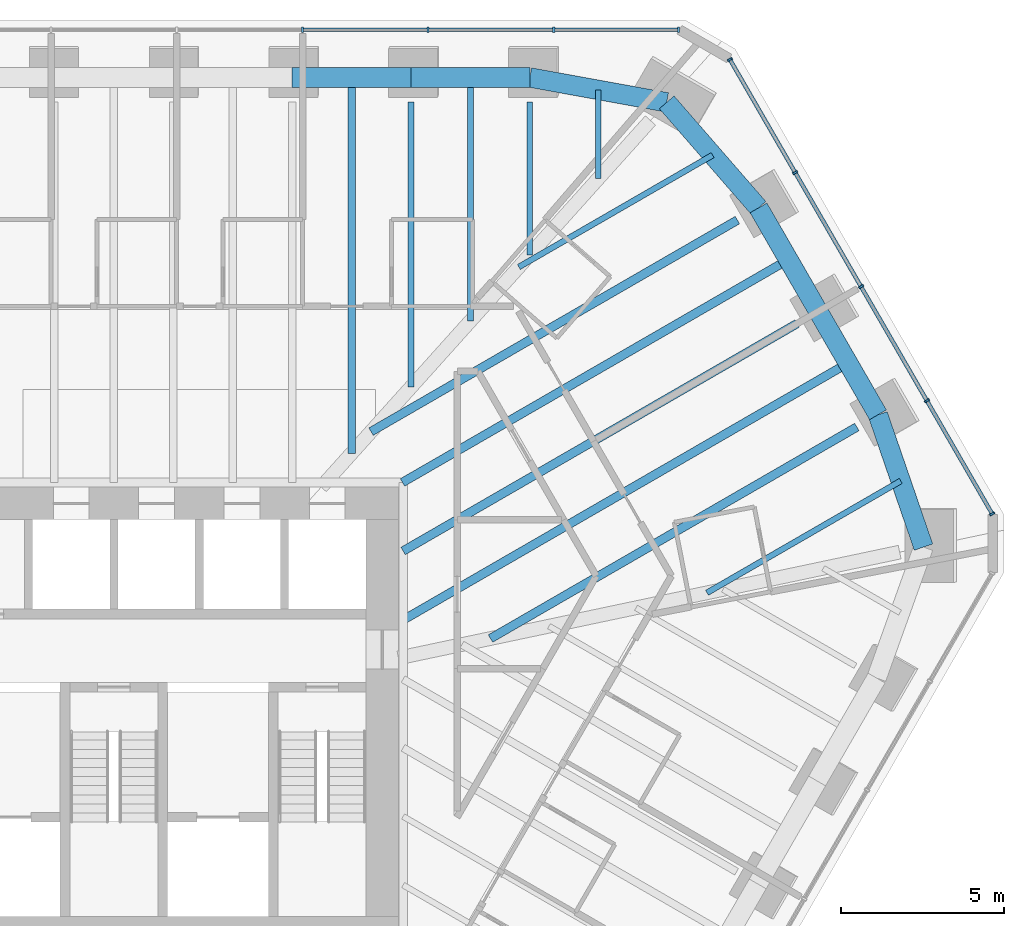
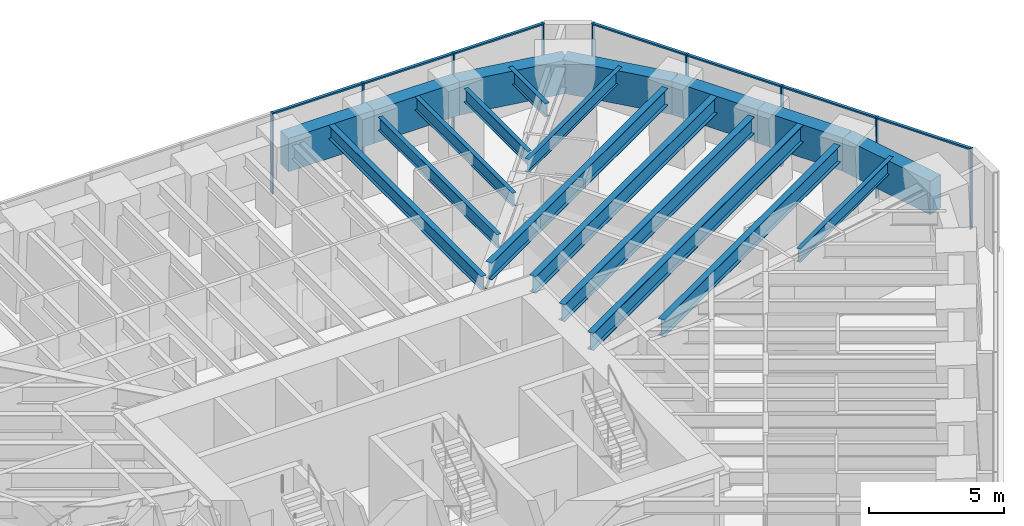
# One storey, part 9 of 17: 19 beams, 16 members, 2 elements without a shape of their own.
"""IFC4 building model written with IfcOpenShell, lengths in metres."""

from ifc_helpers import new_model, si_unit, direction, frame, origin, origin_2d, place, context, subcontext, project, spatial, rectangle, i_section, extrude, material, material_profile, profile_set, type_object, element, aggregate, save


model = new_model("IFC4")

# Units and contexts
model_context = context("Model", 3, precision=1e-05, world=origin(), true_north=direction((0.0, 1.0)))
body_context = subcontext(model_context, "Body", "Model", "MODEL_VIEW")
ifc_project = project(units=[si_unit("LENGTHUNIT", "METRE"), si_unit("AREAUNIT", "SQUARE_METRE"), si_unit("VOLUMEUNIT", "CUBIC_METRE"), si_unit("PLANEANGLEUNIT", "RADIAN"), si_unit("MASSUNIT", "GRAM", prefix="KILO")], contexts=[model_context])

# Site, building, storey
site_placement = place(None, origin())
site = spatial("IfcSite", under=ifc_project, at=site_placement, CompositionType="ELEMENT")
building_placement = place(site_placement, origin())
building = spatial("IfcBuilding", under=site, at=building_placement, Name="Sandreach Pilgrim Tower", CompositionType="ELEMENT")
storey_placement = place(building_placement, frame((0.0, 0.0, 232.60009765625)))
storey = spatial("IfcBuildingStorey", under=building, at=storey_placement, Name="L58", CompositionType="ELEMENT", Elevation=232.60009765625)

# Curtain wall, members
ifc_material_1 = material(Name="Aluminium framed curtain wall", Category="aluminium")
curtain_wall_type = type_object("IfcCurtainWallType", Name="Upper hotel tower curtain wall", PredefinedType="NOTDEFINED", material=ifc_material_1)
curtain_wall_1_placement = place(storey_placement, origin())
curtain_wall_1 = element("IfcCurtainWall", 1, at=curtain_wall_1_placement, inside=storey, type_object=curtain_wall_type, Name="CW-3 L58 N", PredefinedType="NOTDEFINED")
ifc_material_2 = material(Name="Aluminium extrusion", Category="aluminium")
ifc_material_profile_1 = material_profile(ifc_material_2, rectangle(XDim=0.06494140625, YDim=0.159912109375, at=origin_2d()), Name="CW-3M 65X160")
ifc_profile_set_1 = profile_set([ifc_material_profile_1], Name="Aluminium extrusion")
member_type_1 = type_object("IfcMemberType", Name="CW-3 mullion", PredefinedType="MULLION", material=ifc_profile_set_1)
member_1_placement = place(storey_placement, frame((5.796630859375, 21.16015625, 0.0), z_axis=(0.0, 0.0, 1.0), x_axis=(1.0, 0.0, 0.0)))
member_1 = element("IfcMember", 2, at=member_1_placement, type_object=member_type_1, Name="CW-3 mullion 7", PredefinedType="MULLION", context=body_context, shape_type="SweptSolid", body=[
    extrude(rectangle(XDim=0.06494140625, YDim=0.159912109375, at=origin_2d()), origin(), (0.0, 0.0, 1.0), 3.639892578125),
])
member_2_placement = place(storey_placement, frame((9.6611328125, 21.16015625, 0.0), z_axis=(0.0, 0.0, 1.0), x_axis=(1.0, 0.0, 0.0)))
member_2 = element("IfcMember", 3, at=member_2_placement, type_object=member_type_1, Name="CW-3 mullion 8", PredefinedType="MULLION", context=body_context, shape_type="SweptSolid", body=[
    extrude(rectangle(XDim=0.06494140625, YDim=0.159912109375, at=origin_2d()), origin(), (0.0, 0.0, 1.0), 3.639892578125),
])
member_3_placement = place(storey_placement, frame((13.525390625, 21.16015625, 0.0), z_axis=(0.0, 0.0, 1.0), x_axis=(1.0, 0.0, 0.0)))
member_3 = element("IfcMember", 4, at=member_3_placement, type_object=member_type_1, Name="CW-3 mullion 9", PredefinedType="MULLION", context=body_context, shape_type="SweptSolid", body=[
    extrude(rectangle(XDim=0.06494140625, YDim=0.159912109375, at=origin_2d()), origin(), (0.0, 0.0, 1.0), 3.639892578125),
])
member_4_placement = place(storey_placement, frame((17.357421875, 21.16015625, 0.0), z_axis=(0.0, 0.0, 1.0), x_axis=(1.0, 0.0, 0.0)))
member_4 = element("IfcMember", 5, at=member_4_placement, type_object=member_type_1, Name="CW-3 mullion 10", PredefinedType="MULLION", context=body_context, shape_type="SweptSolid", body=[
    extrude(rectangle(XDim=0.06494140625, YDim=0.159912109375, at=origin_2d()), origin(), (0.0, 0.0, 1.0), 3.639892578125),
])

curtain_wall_2_placement = place(storey_placement, origin())
curtain_wall_2 = element("IfcCurtainWall", 6, at=curtain_wall_2_placement, inside=storey, type_object=curtain_wall_type, Name="CW-3 L58 NE", PredefinedType="NOTDEFINED")
member_5_placement = place(storey_placement, frame((18.93896484375, 20.2470703125, 0.0), z_axis=(0.0, 0.0, 1.0), x_axis=(0.5, -0.866025403784, 0.0)))
member_5 = element("IfcMember", 7, at=member_5_placement, type_object=member_type_1, Name="CW-3 mullion 1", PredefinedType="MULLION", context=body_context, shape_type="SweptSolid", body=[
    extrude(rectangle(XDim=0.06494140625, YDim=0.159912109375, at=origin_2d()), origin(), (0.0, 0.0, 1.0), 3.639892578125),
])
member_6_placement = place(storey_placement, frame((20.947021484375, 16.768798828125, 0.0), z_axis=(0.0, 0.0, 1.0), x_axis=(0.5, -0.866025403784, 0.0)))
member_6 = element("IfcMember", 8, at=member_6_placement, type_object=member_type_1, Name="CW-3 mullion 2", PredefinedType="MULLION", context=body_context, shape_type="SweptSolid", body=[
    extrude(rectangle(XDim=0.06494140625, YDim=0.159912109375, at=origin_2d()), origin(), (0.0, 0.0, 1.0), 3.639892578125),
])
member_7_placement = place(storey_placement, frame((22.971435546875, 13.262451171875, 0.0), z_axis=(0.0, 0.0, 1.0), x_axis=(0.5, -0.866025403784, 0.0)))
member_7 = element("IfcMember", 9, at=member_7_placement, type_object=member_type_1, Name="CW-3 mullion 3", PredefinedType="MULLION", context=body_context, shape_type="SweptSolid", body=[
    extrude(rectangle(XDim=0.06494140625, YDim=0.159912109375, at=origin_2d()), origin(), (0.0, 0.0, 1.0), 3.639892578125),
])
member_8_placement = place(storey_placement, frame((24.995849609375, 9.75634765625, 0.0), z_axis=(0.0, 0.0, 1.0), x_axis=(0.5, -0.866025403784, 0.0)))
member_8 = element("IfcMember", 10, at=member_8_placement, type_object=member_type_1, Name="CW-3 mullion 4", PredefinedType="MULLION", context=body_context, shape_type="SweptSolid", body=[
    extrude(rectangle(XDim=0.06494140625, YDim=0.159912109375, at=origin_2d()), origin(), (0.0, 0.0, 1.0), 3.639892578125),
])
member_9_placement = place(storey_placement, frame((27.00390625, 6.278076171875, 0.0), z_axis=(0.0, 0.0, 1.0), x_axis=(0.5, -0.866025403784, 0.0)))
member_9 = element("IfcMember", 11, at=member_9_placement, type_object=member_type_1, Name="CW-3 mullion 5", PredefinedType="MULLION", context=body_context, shape_type="SweptSolid", body=[
    extrude(rectangle(XDim=0.06494140625, YDim=0.159912109375, at=origin_2d()), origin(), (0.0, 0.0, 1.0), 3.639892578125),
])

# Member
ifc_material_3 = material(Name="Aluminium extrusion", Category="aluminium")
ifc_material_profile_2 = material_profile(ifc_material_3, rectangle(XDim=0.1201171875, YDim=0.070068359375, at=origin_2d()), Name="CW-3T 120X70")
ifc_profile_set_2 = profile_set([ifc_material_profile_2], Name="Aluminium extrusion")
member_type_2 = type_object("IfcMemberType", Name="CW-3 transom", PredefinedType="USERDEFINED", material=ifc_profile_set_2)
member_10_placement = place(storey_placement, frame((5.8291015625, 21.16015625, 3.60498046875), z_axis=(1.0, 0.0, 0.0), x_axis=(0.0, 1.0, 0.0)))
member_10 = element("IfcMember", 12, at=member_10_placement, type_object=member_type_2, Name="CW-3 head transom 7", ObjectType="TRANSOM", PredefinedType="USERDEFINED", context=body_context, shape_type="SweptSolid", body=[
    extrude(rectangle(XDim=0.1201171875, YDim=0.070068359375, at=origin_2d()), origin(), (0.0, 0.0, 1.0), 3.799560546875),
])

member_11_placement = place(storey_placement, frame((9.693603515625, 21.16015625, 3.60498046875), z_axis=(1.0, 0.0, 0.0), x_axis=(0.0, 1.0, 0.0)))
member_11 = element("IfcMember", 13, at=member_11_placement, type_object=member_type_2, Name="CW-3 head transom 8", ObjectType="TRANSOM", PredefinedType="USERDEFINED", context=body_context, shape_type="SweptSolid", body=[
    extrude(rectangle(XDim=0.1201171875, YDim=0.070068359375, at=origin_2d()), origin(), (0.0, 0.0, 1.0), 3.79931640625),
])

member_12_placement = place(storey_placement, frame((13.557861328125, 21.16015625, 3.60498046875), z_axis=(1.0, 0.0, 0.0), x_axis=(0.0, 1.0, 0.0)))
member_12 = element("IfcMember", 14, at=member_12_placement, type_object=member_type_2, Name="CW-3 head transom 9", ObjectType="TRANSOM", PredefinedType="USERDEFINED", context=body_context, shape_type="SweptSolid", body=[
    extrude(rectangle(XDim=0.1201171875, YDim=0.070068359375, at=origin_2d()), origin(), (0.0, 0.0, 1.0), 3.76708984375),
])

aggregate(curtain_wall_1, [member_1, member_2, member_3, member_4, member_10, member_11, member_12])

member_13_placement = place(storey_placement, frame((18.955322265625, 20.21875, 3.60498046875), z_axis=(0.499993448556, -0.866029186229, 0.0), x_axis=(0.866029186229, 0.499993448556, 0.0)))
member_13 = element("IfcMember", 15, at=member_13_placement, type_object=member_type_2, Name="CW-3 head transom 1", ObjectType="TRANSOM", PredefinedType="USERDEFINED", context=body_context, shape_type="SweptSolid", body=[
    extrude(rectangle(XDim=0.1201171875, YDim=0.070068359375, at=origin_2d()), origin(), (0.0, 0.0, 1.0), 3.951171875),
])

member_14_placement = place(storey_placement, frame((20.96337890625, 16.74072265625, 3.60498046875), z_axis=(0.499975332564, -0.866039645067, 0.0), x_axis=(0.866039645067, 0.499975332564, 0.0)))
member_14 = element("IfcMember", 16, at=member_14_placement, type_object=member_type_2, Name="CW-3 head transom 2", ObjectType="TRANSOM", PredefinedType="USERDEFINED", context=body_context, shape_type="SweptSolid", body=[
    extrude(rectangle(XDim=0.1201171875, YDim=0.070068359375, at=origin_2d()), origin(), (0.0, 0.0, 1.0), 3.983642578125),
])

member_15_placement = place(storey_placement, frame((22.98779296875, 13.234375, 3.60498046875), z_axis=(0.499975332564, -0.866039645067, 0.0), x_axis=(0.866039645067, 0.499975332564, 0.0)))
member_15 = element("IfcMember", 17, at=member_15_placement, type_object=member_type_2, Name="CW-3 head transom 3", ObjectType="TRANSOM", PredefinedType="USERDEFINED", context=body_context, shape_type="SweptSolid", body=[
    extrude(rectangle(XDim=0.1201171875, YDim=0.070068359375, at=origin_2d()), origin(), (0.0, 0.0, 1.0), 3.983642578125),
])

member_16_placement = place(storey_placement, frame((25.011962890625, 9.728271484375, 3.60498046875), z_axis=(0.499993448556, -0.866029186229, 0.0), x_axis=(0.866029186229, 0.499993448556, 0.0)))
member_16 = element("IfcMember", 18, at=member_16_placement, type_object=member_type_2, Name="CW-3 head transom 4", ObjectType="TRANSOM", PredefinedType="USERDEFINED", context=body_context, shape_type="SweptSolid", body=[
    extrude(rectangle(XDim=0.1201171875, YDim=0.070068359375, at=origin_2d()), origin(), (0.0, 0.0, 1.0), 3.951171875),
])

aggregate(curtain_wall_2, [member_5, member_6, member_7, member_8, member_9, member_13, member_14, member_15, member_16])

# Beams
ifc_material_4 = material(Name="Steel ASTM A992 Grade 50", Category="steel")
ifc_material_profile_3 = material_profile(ifc_material_4, i_section(OverallWidth=0.1787109375, OverallDepth=0.60205078125, WebThickness=0.010986328125, FlangeThickness=0.014892578125, at=origin_2d()), Name="W24X62")
ifc_profile_set_3 = profile_set([ifc_material_profile_3], Name="Steel ASTM A992 Grade 50")
beam_type_1 = type_object("IfcBeamType", Name="Floor beam W24X62", PredefinedType="BEAM", material=ifc_profile_set_3)
beam_1_placement = place(storey_placement, frame((9.134765625, 18.9423828125, 3.3388671875), z_axis=(0.0, -1.0, 0.0), x_axis=(1.0, 0.0, 0.0)))
element("IfcBeam", 19, at=beam_1_placement, inside=storey, type_object=beam_type_1, Name="BM L58 F07", PredefinedType="BEAM", context=body_context, shape_type="SweptSolid", body=[
    extrude(i_section(OverallWidth=0.1787109375, OverallDepth=0.60205078125, WebThickness=0.010986328125, FlangeThickness=0.014892578125, at=origin_2d()), origin(), (0.0, 0.0, 1.0), 8.769287109375),
])
beam_2_placement = place(storey_placement, frame((12.788818359375, 18.9423828125, 3.3388671875), z_axis=(0.0, -1.0, 0.0), x_axis=(1.0, 0.0, 0.0)))
element("IfcBeam", 20, at=beam_2_placement, inside=storey, type_object=beam_type_1, Name="BM L58 F08", PredefinedType="BEAM", context=body_context, shape_type="SweptSolid", body=[
    extrude(i_section(OverallWidth=0.1787109375, OverallDepth=0.60205078125, WebThickness=0.010986328125, FlangeThickness=0.014892578125, at=origin_2d()), origin(), (0.0, 0.0, 1.0), 4.699951171875),
])
beam_3_placement = place(storey_placement, frame((10.9619140625, 19.6923828125, 3.3388671875), z_axis=(0.0, -1.0, 0.0), x_axis=(1.0, 0.0, 0.0)))
element("IfcBeam", 21, at=beam_3_placement, inside=storey, type_object=beam_type_1, Name="BM L58 FM07", PredefinedType="BEAM", context=body_context, shape_type="SweptSolid", body=[
    extrude(i_section(OverallWidth=0.1787109375, OverallDepth=0.60205078125, WebThickness=0.010986328125, FlangeThickness=0.014892578125, at=origin_2d()), origin(), (0.0, 0.0, 1.0), 7.484619140625),
])
beam_4_placement = place(storey_placement, frame((14.89306640625, 19.310791015625, 3.3388671875), z_axis=(0.0, -1.0, 0.0), x_axis=(1.0, 0.0, 0.0)))
element("IfcBeam", 22, at=beam_4_placement, inside=storey, type_object=beam_type_1, Name="BM L58 FM08", PredefinedType="BEAM", context=body_context, shape_type="SweptSolid", body=[
    extrude(i_section(OverallWidth=0.1787109375, OverallDepth=0.60205078125, WebThickness=0.010986328125, FlangeThickness=0.014892578125, at=origin_2d()), origin(), (0.0, 0.0, 1.0), 2.72509765625),
])
for number, where, z_axis, x_axis, name in (
    (23, (18.408203125, 17.30615234375, 3.3388671875), (-0.866019478611, -0.500010262561, 0.0), (0.500010262561, -0.866019478611, 0.0), "BM L58 FM09"),
    (24, (24.191650390625, 7.2890625, 3.3388671875), (-0.866019478611, -0.500010262561, 0.0), (0.500010262561, -0.866019478611, 0.0), "BM L58 FM12"),
):
    element("IfcBeam", number, at=place(storey_placement, frame(where, z_axis=z_axis, x_axis=x_axis)), inside=storey, type_object=beam_type_1, Name=name, PredefinedType="BEAM", context=body_context, shape_type="SweptSolid", body=[
        extrude(i_section(OverallWidth=0.1787109375, OverallDepth=0.60205078125, WebThickness=0.010986328125, FlangeThickness=0.014892578125, at=origin_2d()), origin(), (0.0, 0.0, 1.0), 6.877685546875),
    ])
ifc_material_5 = material(Name="Steel ASTM A992 Grade 50", Category="steel")
ifc_material_profile_4 = material_profile(ifc_material_5, i_section(OverallWidth=0.23046875, OverallDepth=0.6171875, WebThickness=0.01318359375, FlangeThickness=0.022216796875, at=origin_2d()), Name="W24X94")
ifc_profile_set_4 = profile_set([ifc_material_profile_4], Name="Steel ASTM A992 Grade 50")
beam_type_2 = type_object("IfcBeamType", Name="Floor beam W24X94", PredefinedType="BEAM", material=ifc_profile_set_4)
beam_5_placement = place(storey_placement, frame((7.307861328125, 19.6923828125, 3.331298828125), z_axis=(0.0, -1.0, 0.0), x_axis=(1.0, 0.0, 0.0)))
element("IfcBeam", 25, at=beam_5_placement, inside=storey, type_object=beam_type_2, Name="BM L58 FM06", PredefinedType="BEAM", context=body_context, shape_type="SweptSolid", body=[
    extrude(i_section(OverallWidth=0.23046875, OverallDepth=0.6171875, WebThickness=0.01318359375, FlangeThickness=0.022216796875, at=origin_2d()), origin(), (0.0, 0.0, 1.0), 11.553955078125),
])
ifc_material_6 = material(Name="Steel ASTM A992 Grade 50", Category="steel")
ifc_material_profile_5 = material_profile(ifc_material_6, i_section(OverallWidth=0.2666015625, OverallDepth=0.761962890625, WebThickness=0.014404296875, FlangeThickness=0.021484375, at=origin_2d()), Name="W30X116")
ifc_profile_set_5 = profile_set([ifc_material_profile_5], Name="Steel ASTM A992 Grade 50")
beam_type_3 = type_object("IfcBeamType", Name="Floor beam W30X116", PredefinedType="BEAM", material=ifc_profile_set_5)
beam_6_placement = place(storey_placement, frame((19.169677734375, 15.30810546875, 3.2587890625), z_axis=(-0.866021155162, -0.500007358757, 0.0), x_axis=(0.500007358757, -0.866021155162, 0.0)))
element("IfcBeam", 26, at=beam_6_placement, inside=storey, type_object=beam_type_3, Name="BM L58 F10", PredefinedType="BEAM", context=body_context, shape_type="SweptSolid", body=[
    extrude(i_section(OverallWidth=0.2666015625, OverallDepth=0.761962890625, WebThickness=0.014404296875, FlangeThickness=0.021484375, at=origin_2d()), origin(), (0.0, 0.0, 1.0), 13.005615234375),
])
beam_7_placement = place(storey_placement, frame((21.005859375, 12.127685546875, 3.2587890625), z_axis=(-0.86602600019, -0.499998966993, 0.0), x_axis=(0.499998966993, -0.86602600019, 0.0)))
element("IfcBeam", 27, at=beam_7_placement, inside=storey, type_object=beam_type_3, Name="BM L58 F11", PredefinedType="BEAM", context=body_context, shape_type="SweptSolid", body=[
    extrude(i_section(OverallWidth=0.2666015625, OverallDepth=0.761962890625, WebThickness=0.014404296875, FlangeThickness=0.021484375, at=origin_2d()), origin(), (0.0, 0.0, 1.0), 13.986328125),
])
beam_8_placement = place(storey_placement, frame((22.842041015625, 8.947509765625, 3.2587890625), z_axis=(-0.866021155162, -0.500007358757, 0.0), x_axis=(0.500007358757, -0.866021155162, 0.0)))
element("IfcBeam", 28, at=beam_8_placement, inside=storey, type_object=beam_type_3, Name="BM L58 F12", PredefinedType="BEAM", context=body_context, shape_type="SweptSolid", body=[
    extrude(i_section(OverallWidth=0.2666015625, OverallDepth=0.761962890625, WebThickness=0.014404296875, FlangeThickness=0.021484375, at=origin_2d()), origin(), (0.0, 0.0, 1.0), 13.005615234375),
])
beam_9_placement = place(storey_placement, frame((20.7373046875, 14.0927734375, 3.2587890625), z_axis=(-0.866031260823, -0.499989855175, 0.0), x_axis=(0.499989855175, -0.866031260823, 0.0)))
element("IfcBeam", 29, at=beam_9_placement, inside=storey, type_object=beam_type_3, Name="BM L58 FM10", PredefinedType="BEAM", context=body_context, shape_type="SweptSolid", body=[
    extrude(i_section(OverallWidth=0.2666015625, OverallDepth=0.761962890625, WebThickness=0.014404296875, FlangeThickness=0.021484375, at=origin_2d()), origin(), (0.0, 0.0, 1.0), 13.698974609375),
])
ifc_material_7 = material(Name="Steel ASTM A992 Grade 50", Category="steel")
ifc_material_profile_6 = material_profile(ifc_material_7, i_section(OverallWidth=0.2666015625, OverallDepth=0.77978515625, WebThickness=0.0166015625, FlangeThickness=0.030029296875, at=origin_2d()), Name="W30X148")
ifc_profile_set_6 = profile_set([ifc_material_profile_6], Name="Steel ASTM A992 Grade 50")
beam_type_4 = type_object("IfcBeamType", Name="Floor beam W30X148", PredefinedType="BEAM", material=ifc_profile_set_6)
beam_10_placement = place(storey_placement, frame((22.573486328125, 10.91259765625, 3.25), z_axis=(-0.866027043304, -0.499997160258, 0.0), x_axis=(0.499997160258, -0.866027043304, 0.0)))
element("IfcBeam", 30, at=beam_10_placement, inside=storey, type_object=beam_type_4, Name="BM L58 FM11", PredefinedType="BEAM", context=body_context, shape_type="SweptSolid", body=[
    extrude(i_section(OverallWidth=0.2666015625, OverallDepth=0.77978515625, WebThickness=0.0166015625, FlangeThickness=0.030029296875, at=origin_2d()), origin(), (0.0, 0.0, 1.0), 15.79638671875),
])
ifc_material_8 = material(Name="Concrete 10000 psi", Category="concrete")
ifc_material_profile_7 = material_profile(ifc_material_8, rectangle(XDim=0.60009765625, YDim=1.5, at=origin_2d()), Name="RC600X1500")
ifc_profile_set_7 = profile_set([ifc_material_profile_7], Name="Concrete 10000 psi")
beam_type_5 = type_object("IfcBeamType", Name="Spandrel beam RC600X1500", PredefinedType="SPANDREL", material=ifc_profile_set_7)
beam_11_placement = place(storey_placement, frame((5.48095703125, 19.6923828125, 2.889892578125), z_axis=(1.0, 0.0, 0.0), x_axis=(0.0, 1.0, 0.0)))
element("IfcBeam", 31, at=beam_11_placement, inside=storey, type_object=beam_type_5, Name="BM L58 SP06", PredefinedType="SPANDREL", context=body_context, shape_type="SweptSolid", body=[
    extrude(rectangle(XDim=0.60009765625, YDim=1.5, at=origin_2d()), origin(), (0.0, 0.0, 1.0), 3.65380859375),
])
beam_12_placement = place(storey_placement, frame((9.134765625, 19.6923828125, 2.889892578125), z_axis=(1.0, 0.0, 0.0), x_axis=(0.0, 1.0, 0.0)))
element("IfcBeam", 32, at=beam_12_placement, inside=storey, type_object=beam_type_5, Name="BM L58 SP07", PredefinedType="SPANDREL", context=body_context, shape_type="SweptSolid", body=[
    extrude(rectangle(XDim=0.60009765625, YDim=1.5, at=origin_2d()), origin(), (0.0, 0.0, 1.0), 3.654052734375),
])
beam_13_placement = place(storey_placement, frame((12.788818359375, 19.6923828125, 2.889892578125), z_axis=(0.983950184514, -0.178443364669, 0.0), x_axis=(0.178443364669, 0.983950184514, 0.0)))
element("IfcBeam", 33, at=beam_13_placement, inside=storey, type_object=beam_type_5, Name="BM L58 SP08", PredefinedType="SPANDREL", context=body_context, shape_type="SweptSolid", body=[
    extrude(rectangle(XDim=0.60009765625, YDim=1.5, at=origin_2d()), origin(), (0.0, 0.0, 1.0), 4.27685546875),
])
beam_14_placement = place(storey_placement, frame((16.9970703125, 18.92919921875, 2.889892578125), z_axis=(0.656122504965, -0.754654396714, 0.0), x_axis=(0.754654396714, 0.656122504965, 0.0)))
element("IfcBeam", 34, at=beam_14_placement, inside=storey, type_object=beam_type_5, Name="BM L58 SP09", PredefinedType="SPANDREL", context=body_context, shape_type="SweptSolid", body=[
    extrude(rectangle(XDim=0.60009765625, YDim=1.5, at=origin_2d()), origin(), (0.0, 0.0, 1.0), 4.301513671875),
])
beam_15_placement = place(storey_placement, frame((19.8193359375, 15.68310546875, 2.889892578125), z_axis=(0.499992922065, -0.866029490193, 0.0), x_axis=(0.866029490193, 0.499992922065, 0.0)))
element("IfcBeam", 35, at=beam_15_placement, inside=storey, type_object=beam_type_5, Name="BM L58 SP10", PredefinedType="SPANDREL", context=body_context, shape_type="SweptSolid", body=[
    extrude(rectangle(XDim=0.60009765625, YDim=1.5, at=origin_2d()), origin(), (0.0, 0.0, 1.0), 3.67236328125),
])
beam_16_placement = place(storey_placement, frame((21.655517578125, 12.502685546875, 2.889892578125), z_axis=(0.499971846079, -0.866041657848, 0.0), x_axis=(0.866041657848, 0.499971846079, 0.0)))
element("IfcBeam", 36, at=beam_16_placement, inside=storey, type_object=beam_type_5, Name="BM L58 SP11", PredefinedType="SPANDREL", context=body_context, shape_type="SweptSolid", body=[
    extrude(rectangle(XDim=0.60009765625, YDim=1.5, at=origin_2d()), origin(), (0.0, 0.0, 1.0), 3.672119140625),
])
beam_17_placement = place(storey_placement, frame((23.491455078125, 9.322509765625, 2.889892578125), z_axis=(0.325509611894, -0.945538731393, 0.0), x_axis=(0.945538731393, 0.325509611894, 0.0)))
element("IfcBeam", 37, at=beam_17_placement, inside=storey, type_object=beam_type_5, Name="BM L58 SP12", PredefinedType="SPANDREL", context=body_context, shape_type="SweptSolid", body=[
    extrude(rectangle(XDim=0.60009765625, YDim=1.5, at=origin_2d()), origin(), (0.0, 0.0, 1.0), 4.301513671875),
])

save(model, "model.ifc")
